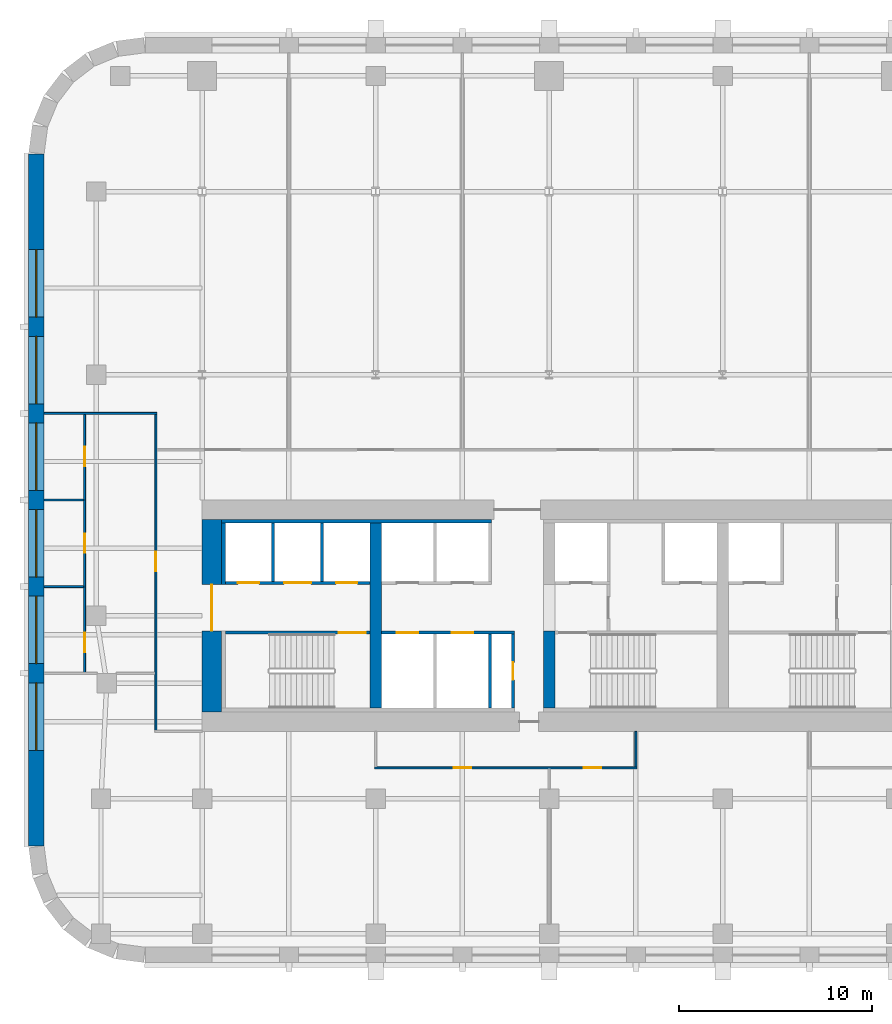
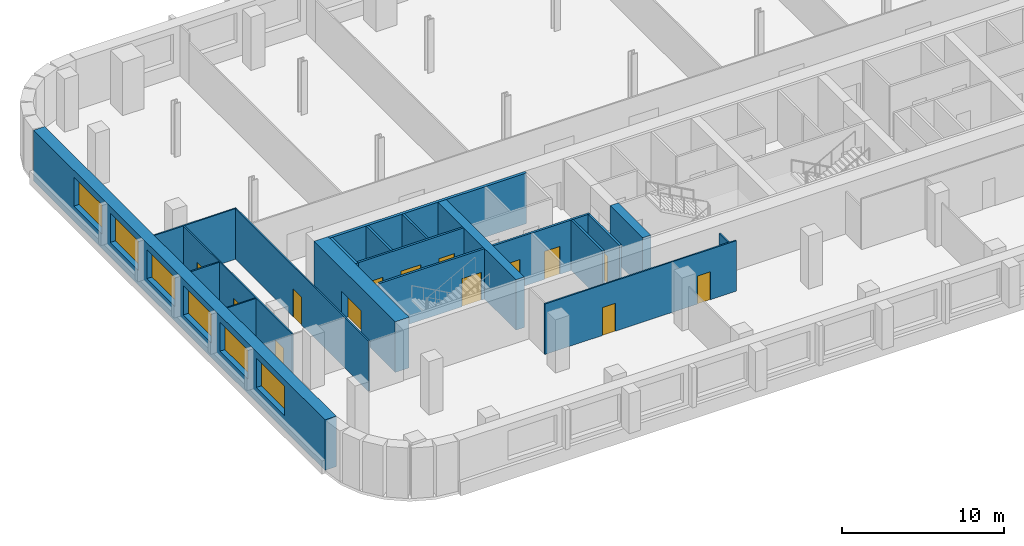
# One storey, part 3 of 9: 20 walls, 14 doors, 6 windows, 20 openings.
"""IFC4 building model written with IfcOpenShell, lengths in metres."""

from ifc_helpers import new_model, si_unit, direction, frame, frame_2d, origin, place, context, subcontext, project, spatial, rectangle, extrude, material, layer, layer_set, type_object, element, fill, save


model = new_model("IFC4")

# Units and contexts
model_context = context("Model", 3, precision=1e-05, world=origin(), true_north=direction((0.0, 1.0)))
body_context = subcontext(model_context, "Body", "Model", "MODEL_VIEW")
ifc_project = project(units=[si_unit("LENGTHUNIT", "METRE"), si_unit("AREAUNIT", "SQUARE_METRE"), si_unit("VOLUMEUNIT", "CUBIC_METRE"), si_unit("PLANEANGLEUNIT", "RADIAN"), si_unit("MASSUNIT", "GRAM", prefix="KILO")], contexts=[model_context])

# Site, building, storey
site_placement = place(None, origin())
site = spatial("IfcSite", under=ifc_project, at=site_placement, CompositionType="ELEMENT")
building_placement = place(site_placement, origin())
building = spatial("IfcBuilding", under=site, at=building_placement, Name="Zellij Exchange Tower", CompositionType="ELEMENT")
storey_placement = place(building_placement, frame((0.0, 0.0, 136.5)))
storey = spatial("IfcBuildingStorey", under=building, at=storey_placement, Name="L30", CompositionType="ELEMENT", Elevation=136.5)

# Walls
ifc_material_1 = material(Name="Concrete C70/85", Category="concrete")
ifc_layer_1 = layer(ifc_material_1, 0.60009765625)
ifc_layer_set_1 = layer_set([ifc_layer_1], Name="Concrete C70/85")
wall_type_1 = type_object("IfcWallType", Name="CORE-CW 600 C70/85", PredefinedType="SHEAR", material=ifc_layer_set_1)
wall_1_placement = place(storey_placement, frame((-18.0, -12.800048828125, 0.0), z_axis=(0.0, 0.0, 1.0), x_axis=(0.0, 1.0, 0.0)))
element("IfcWall", 1, at=wall_1_placement, inside=storey, type_object=wall_type_1, Name="Core cross wall x -18 L30", PredefinedType="SHEAR", context=body_context, shape_type="SweptSolid", body=[
    extrude(rectangle(XDim=9.60009765625, YDim=0.60009765625, at=frame_2d((4.800048828125, 0.0))), origin(), (0.0, 0.0, 1.0), 3.800048828125),
])
wall_2_placement = place(storey_placement, frame((-9.0, -12.800048828125, 0.0), z_axis=(0.0, 0.0, 1.0), x_axis=(0.0, 1.0, 0.0)))
element("IfcWall", 2, at=wall_2_placement, inside=storey, type_object=wall_type_1, Name="Core cross wall pier x -9 a L30", PredefinedType="SHEAR", context=body_context, shape_type="SweptSolid", body=[
    extrude(rectangle(XDim=4.0, YDim=0.60009765625, at=frame_2d((2.0, 0.0))), origin(), (0.0, 0.0, 1.0), 3.800048828125),
])
ifc_material_2 = material(Name="Concrete C30/37", Category="concrete")
ifc_layer_2 = layer(ifc_material_2, 0.199951171875)
ifc_layer_set_2 = layer_set([ifc_layer_2], Name="Concrete C30/37")
wall_type_2 = type_object("IfcWallType", Name="CORE-LW 200 C30/37", PredefinedType="SHEAR", material=ifc_layer_set_2)
wall_3_placement = place(storey_placement, frame((-26.0, -3.10009765625, 0.0), z_axis=(0.0, 0.0, 1.0), x_axis=(1.0, 0.0, 0.0)))
element("IfcWall", 3, at=wall_3_placement, inside=storey, type_object=wall_type_2, Name="Core wall lining front.0 L30", PredefinedType="SHEAR", context=body_context, shape_type="SweptSolid", body=[
    extrude(rectangle(XDim=14.0, YDim=0.199951171875, at=frame_2d((7.0, 0.0))), origin(), (0.0, 0.0, 1.0), 3.800048828125),
])
wall_4_placement = place(storey_placement, frame((-25.89990234375, -6.375, 0.0), z_axis=(0.0, 0.0, 1.0), x_axis=(0.0, 1.0, 0.0)))
element("IfcWall", 4, at=wall_4_placement, inside=storey, type_object=wall_type_2, Name="Core wall lining end w.1 L30", PredefinedType="SHEAR", context=body_context, shape_type="SweptSolid", body=[
    extrude(rectangle(XDim=3.175048828125, YDim=0.199951171875, at=frame_2d((1.58740234375, 0.0))), origin(), (0.0, 0.0, 1.0), 3.800048828125),
])

# Wall, opening, door
ifc_material_3 = material(Name="Gypsum board partition")
ifc_layer_3 = layer(ifc_material_3, 0.14990234375)
ifc_layer_set_3 = layer_set([ifc_layer_3], Name="Gypsum board partition")
wall_type_3 = type_object("IfcWallType", Name="CORE-PW 150 Lift lobby wall", PredefinedType="PARTITIONING", material=ifc_layer_set_3)
wall_5_placement = place(storey_placement, frame((-10.875, -12.800048828125, 0.0), z_axis=(0.0, 0.0, 1.0), x_axis=(0.0, 1.0, 0.0)))
wall_5 = element("IfcWall", 5, at=wall_5_placement, inside=storey, type_object=wall_type_3, Name="Lift lobby wall L30", PredefinedType="PARTITIONING", context=body_context, shape_type="SweptSolid", body=[
    extrude(rectangle(XDim=3.85009765625, YDim=0.14990234375, at=frame_2d((1.925048828125, 0.0))), origin(), (0.0, 0.0, 1.0), 3.800048828125),
])
opening_1_placement = place(wall_5_placement, frame((1.47509765625, 0.0, 0.0)))
opening_1 = element("IfcOpeningElement", 6, at=opening_1_placement, cuts=wall_5, Name="Opening CA-16.10", PredefinedType="OPENING", context=body_context, shape_type="SweptSolid", body=[
    extrude(rectangle(XDim=0.89990234375, YDim=2.10009765625, at=frame_2d((0.449951171875, 1.050048828125))), frame((0.0, 0.0869140625, 0.0), z_axis=(0.0, -1.0, 0.0), x_axis=(1.0, 0.0, 0.0)), (0.0, 0.0, 1.0), 0.173828125),
])
ifc_material_4 = material(Name="Hollow metal fire door")
door_type_1 = type_object("IfcDoorType", Name="CORE-D RD Riser door 900x2100 1.5 HR", OperationType="NOTDEFINED", PredefinedType="DOOR", material=ifc_material_4)
door_1_placement = place(opening_1_placement, origin())
door_1 = element("IfcDoor", 7, at=door_1_placement, inside=storey, type_object=door_type_1, Name="Riser door CA-16.10", OperationType="SINGLE_SWING_RIGHT", OverallHeight=2.10009765625, OverallWidth=0.89990234375, PredefinedType="DOOR", context=body_context, shape_type="SweptSolid", body=[
    extrude(rectangle(XDim=0.89990234375, YDim=2.10009765625, at=frame_2d((0.449951171875, 1.050048828125))), frame((0.0, 0.02490234375, 0.0), z_axis=(0.0, -1.0, 0.0), x_axis=(1.0, 0.0, 0.0)), (0.0, 0.0, 1.0), 0.050048828125),
])
fill(opening_1, door_1)

# Walls
ifc_material_5 = material(Name="Gypsum shaft wall system")
ifc_layer_4 = layer(ifc_material_5, 0.14990234375)
ifc_layer_set_4 = layer_set([ifc_layer_4], Name="Gypsum shaft wall system")
wall_type_4 = type_object("IfcWallType", Name="CORE-PW 150 Lift shaft wall", PredefinedType="PARTITIONING", material=ifc_layer_set_4)
for number, where, z_axis, x_axis, name in (
    (8, (-20.77490234375, -6.22509765625, 0.0), (0.0, 0.0, 1.0), (0.0, 1.0, 0.0), "Lift shaft wall L30"),
    (9, (-23.324951171875, -6.22509765625, 0.0), (0.0, 0.0, 1.0), (0.0, 1.0, 0.0), "Lift shaft wall L30"),
):
    element("IfcWall", number, at=place(storey_placement, frame(where, z_axis=z_axis, x_axis=x_axis)), inside=storey, type_object=wall_type_4, Name=name, PredefinedType="PARTITIONING", context=body_context, shape_type="SweptSolid", body=[
        extrude(rectangle(XDim=3.025146484375, YDim=0.14990234375, at=frame_2d((1.5126953125, 0.0))), origin(), (0.0, 0.0, 1.0), 3.800048828125),
    ])
wall_6_placement = place(storey_placement, frame((-12.074951171875, -12.800048828125, 0.0), z_axis=(0.0, 0.0, 1.0), x_axis=(0.0, 1.0, 0.0)))
element("IfcWall", 10, at=wall_6_placement, inside=storey, type_object=wall_type_4, Name="Lift shaft wall L30", PredefinedType="PARTITIONING", context=body_context, shape_type="SweptSolid", body=[
    extrude(rectangle(XDim=3.85009765625, YDim=0.14990234375, at=frame_2d((1.925048828125, 0.0))), origin(), (0.0, 0.0, 1.0), 3.800048828125),
])

# Wall, openings, doors
wall_7_placement = place(storey_placement, frame((-25.800048828125, -6.300048828125, 0.0), z_axis=(0.0, 0.0, 1.0), x_axis=(1.0, 0.0, 0.0)))
wall_7 = element("IfcWall", 11, at=wall_7_placement, inside=storey, type_object=wall_type_4, Name="Lift shaft wall L30", PredefinedType="PARTITIONING", context=body_context, shape_type="SweptSolid", body=[
    extrude(rectangle(XDim=7.5, YDim=0.14990234375, at=frame_2d((3.75, 0.0))), origin(), (0.0, 0.0, 1.0), 3.800048828125),
])
opening_2_placement = place(wall_7_placement, frame((0.64990234375, 0.0, 0.0)))
opening_2 = element("IfcOpeningElement", 12, at=opening_2_placement, cuts=wall_7, Name="Opening CA-16.02", PredefinedType="OPENING", context=body_context, shape_type="SweptSolid", body=[
    extrude(rectangle(XDim=1.10009765625, YDim=2.10009765625, at=frame_2d((0.550048828125, 1.050048828125))), frame((0.0, 0.0869140625, 0.0), z_axis=(0.0, -1.0, 0.0), x_axis=(1.0, 0.0, 0.0)), (0.0, 0.0, 1.0), 0.173828125),
])
opening_3_placement = place(wall_7_placement, frame((3.050048828125, 0.0, 0.0)))
opening_3 = element("IfcOpeningElement", 13, at=opening_3_placement, cuts=wall_7, Name="Opening CA-16.03", PredefinedType="OPENING", context=body_context, shape_type="SweptSolid", body=[
    extrude(rectangle(XDim=1.39990234375, YDim=2.10009765625, at=frame_2d((0.699951171875, 1.050048828125))), frame((0.0, 0.0869140625, 0.0), z_axis=(0.0, -1.0, 0.0), x_axis=(1.0, 0.0, 0.0)), (0.0, 0.0, 1.0), 0.173828125),
])
opening_4_placement = place(wall_7_placement, frame((5.75, 0.0, 0.0)))
opening_4 = element("IfcOpeningElement", 14, at=opening_4_placement, cuts=wall_7, Name="Opening CA-16.04", PredefinedType="OPENING", context=body_context, shape_type="SweptSolid", body=[
    extrude(rectangle(XDim=1.10009765625, YDim=2.10009765625, at=frame_2d((0.550048828125, 1.050048828125))), frame((0.0, 0.0869140625, 0.0), z_axis=(0.0, -1.0, 0.0), x_axis=(1.0, 0.0, 0.0)), (0.0, 0.0, 1.0), 0.173828125),
])
door_type_2 = type_object("IfcDoorType", Name="CORE-D LD Lift landing door 1100x2100 1.5 HR", OperationType="NOTDEFINED", PredefinedType="DOOR", material=ifc_material_4)
door_2_placement = place(opening_2_placement, origin())
door_2 = element("IfcDoor", 15, at=door_2_placement, inside=storey, type_object=door_type_2, Name="Lift landing door CA-16.02", OperationType="SLIDING_TO_RIGHT", OverallHeight=2.10009765625, OverallWidth=1.10009765625, PredefinedType="DOOR", context=body_context, shape_type="SweptSolid", body=[
    extrude(rectangle(XDim=1.10009765625, YDim=2.10009765625, at=frame_2d((0.550048828125, 1.050048828125))), frame((0.0, 0.02490234375, 0.0), z_axis=(0.0, -1.0, 0.0), x_axis=(1.0, 0.0, 0.0)), (0.0, 0.0, 1.0), 0.050048828125),
])
fill(opening_2, door_2)
door_3_placement = place(opening_4_placement, origin())
door_3 = element("IfcDoor", 16, at=door_3_placement, inside=storey, type_object=door_type_2, Name="Lift landing door CA-16.04", OperationType="SLIDING_TO_RIGHT", OverallHeight=2.10009765625, OverallWidth=1.10009765625, PredefinedType="DOOR", context=body_context, shape_type="SweptSolid", body=[
    extrude(rectangle(XDim=1.10009765625, YDim=2.10009765625, at=frame_2d((0.550048828125, 1.050048828125))), frame((0.0, 0.02490234375, 0.0), z_axis=(0.0, -1.0, 0.0), x_axis=(1.0, 0.0, 0.0)), (0.0, 0.0, 1.0), 0.050048828125),
])
fill(opening_4, door_3)
door_type_3 = type_object("IfcDoorType", Name="CORE-D LD2 Service lift landing door 1400x2100 1.5 HR", OperationType="NOTDEFINED", PredefinedType="DOOR", material=ifc_material_4)
door_4_placement = place(opening_3_placement, origin())
door_4 = element("IfcDoor", 17, at=door_4_placement, inside=storey, type_object=door_type_3, Name="Service lift landing door CA-16.03", OperationType="SLIDING_TO_LEFT", OverallHeight=2.10009765625, OverallWidth=1.39990234375, PredefinedType="DOOR", context=body_context, shape_type="SweptSolid", body=[
    extrude(rectangle(XDim=1.39990234375, YDim=2.10009765625, at=frame_2d((0.699951171875, 1.050048828125))), frame((0.0, 0.02490234375, 0.0), z_axis=(0.0, -1.0, 0.0), x_axis=(1.0, 0.0, 0.0)), (0.0, 0.0, 1.0), 0.050048828125),
])
fill(opening_3, door_4)

wall_8_placement = place(storey_placement, frame((-17.699951171875, -8.875, 0.0), z_axis=(0.0, 0.0, 1.0), x_axis=(1.0, 0.0, 0.0)))
wall_8 = element("IfcWall", 18, at=wall_8_placement, inside=storey, type_object=wall_type_4, Name="Lift shaft wall L30", PredefinedType="PARTITIONING", context=body_context, shape_type="SweptSolid", body=[
    extrude(rectangle(XDim=6.89990234375, YDim=0.14990234375, at=frame_2d((3.449951171875, 0.0))), origin(), (0.0, 0.0, 1.0), 3.800048828125),
])
opening_5_placement = place(wall_8_placement, frame((0.800048828125, 0.0, 0.0)))
opening_5 = element("IfcOpeningElement", 19, at=opening_5_placement, cuts=wall_8, Name="Opening CA-16.06", PredefinedType="OPENING", context=body_context, shape_type="SweptSolid", body=[
    extrude(rectangle(XDim=1.10009765625, YDim=2.10009765625, at=frame_2d((0.550048828125, 1.050048828125))), frame((0.0, 0.0869140625, 0.0), z_axis=(0.0, -1.0, 0.0), x_axis=(1.0, 0.0, 0.0)), (0.0, 0.0, 1.0), 0.173828125),
])
opening_6_placement = place(wall_8_placement, frame((3.64990234375, 0.0, 0.0)))
opening_6 = element("IfcOpeningElement", 20, at=opening_6_placement, cuts=wall_8, Name="Opening CA-16.08", PredefinedType="OPENING", context=body_context, shape_type="SweptSolid", body=[
    extrude(rectangle(XDim=1.10009765625, YDim=2.10009765625, at=frame_2d((0.550048828125, 1.050048828125))), frame((0.0, 0.0869140625, 0.0), z_axis=(0.0, -1.0, 0.0), x_axis=(1.0, 0.0, 0.0)), (0.0, 0.0, 1.0), 0.173828125),
])
door_5_placement = place(opening_5_placement, origin())
door_5 = element("IfcDoor", 21, at=door_5_placement, inside=storey, type_object=door_type_2, Name="Lift landing door CA-16.06", OperationType="SLIDING_TO_RIGHT", OverallHeight=2.10009765625, OverallWidth=1.10009765625, PredefinedType="DOOR", context=body_context, shape_type="SweptSolid", body=[
    extrude(rectangle(XDim=1.10009765625, YDim=2.10009765625, at=frame_2d((0.550048828125, 1.050048828125))), frame((0.0, 0.02490234375, 0.0), z_axis=(0.0, -1.0, 0.0), x_axis=(1.0, 0.0, 0.0)), (0.0, 0.0, 1.0), 0.050048828125),
])
fill(opening_5, door_5)
door_6_placement = place(opening_6_placement, origin())
door_6 = element("IfcDoor", 22, at=door_6_placement, inside=storey, type_object=door_type_2, Name="Lift landing door CA-16.08", OperationType="SLIDING_TO_RIGHT", OverallHeight=2.10009765625, OverallWidth=1.10009765625, PredefinedType="DOOR", context=body_context, shape_type="SweptSolid", body=[
    extrude(rectangle(XDim=1.10009765625, YDim=2.10009765625, at=frame_2d((0.550048828125, 1.050048828125))), frame((0.0, 0.02490234375, 0.0), z_axis=(0.0, -1.0, 0.0), x_axis=(1.0, 0.0, 0.0)), (0.0, 0.0, 1.0), 0.050048828125),
])
fill(opening_6, door_6)

# Wall, opening, door
ifc_layer_5 = layer(ifc_material_1, 1.0)
ifc_layer_set_5 = layer_set([ifc_layer_5], Name="Concrete C70/85")
wall_type_5 = type_object("IfcWallType", Name="CORE-SW 1000 C70/85", PredefinedType="SHEAR", material=ifc_layer_set_5)
wall_9_placement = place(storey_placement, frame((-26.5, -13.0, 0.0), z_axis=(0.0, 0.0, 1.0), x_axis=(0.0, 1.0, 0.0)))
wall_9 = element("IfcWall", 23, at=wall_9_placement, inside=storey, type_object=wall_type_5, Name="Core shear wall end w L30", PredefinedType="SHEAR", context=body_context, shape_type="SweptSolid", body=[
    extrude(rectangle(XDim=10.0, YDim=1.0, at=frame_2d((5.0, 0.0))), origin(), (0.0, 0.0, 1.0), 3.800048828125),
])
opening_7_placement = place(wall_9_placement, frame((4.2119140625, 0.0, 0.0)))
opening_7 = element("IfcOpeningElement", 24, at=opening_7_placement, cuts=wall_9, Name="Opening CA-16.01", PredefinedType="OPENING", context=body_context, shape_type="SweptSolid", body=[
    extrude(rectangle(XDim=2.39990234375, YDim=2.10009765625, at=frame_2d((1.199951171875, 1.050048828125))), frame((0.0, 0.511962890625, 0.0), z_axis=(0.0, -1.0, 0.0), x_axis=(1.0, 0.0, 0.0)), (0.0, 0.0, 1.0), 1.02392578125),
])
door_type_4 = type_object("IfcDoorType", Name="CORE-D CE Core entrance door 2400x2100 20 MIN", OperationType="NOTDEFINED", PredefinedType="DOOR", material=ifc_material_4)
door_7_placement = place(opening_7_placement, origin())
door_7 = element("IfcDoor", 25, at=door_7_placement, inside=storey, type_object=door_type_4, Name="Core entrance door CA-16.01", OperationType="DOUBLE_DOOR_SINGLE_SWING", OverallHeight=2.10009765625, OverallWidth=2.39990234375, PredefinedType="DOOR", context=body_context, shape_type="SweptSolid", body=[
    extrude(rectangle(XDim=2.39990234375, YDim=2.10009765625, at=frame_2d((1.199951171875, 1.050048828125))), frame((0.0, 0.02490234375, 0.0), z_axis=(0.0, -1.0, 0.0), x_axis=(1.0, 0.0, 0.0)), (0.0, 0.0, 1.0), 0.050048828125),
])
fill(opening_7, door_7)

ifc_layer_6 = layer(ifc_material_1, 0.14990234375)
ifc_layer_set_6 = layer_set([ifc_layer_6], Name="Concrete C70/85")
wall_type_6 = type_object("IfcWallType", Name="CORE-SWS 150 C70/85", PredefinedType="SHEAR", material=ifc_layer_set_6)
wall_10_placement = place(storey_placement, frame((-25.800048828125, -8.875, 0.0), z_axis=(0.0, 0.0, 1.0), x_axis=(1.0, 0.0, 0.0)))
wall_10 = element("IfcWall", 26, at=wall_10_placement, inside=storey, type_object=wall_type_6, Name="Stair enclosure wall L30", PredefinedType="SHEAR", context=body_context, shape_type="SweptSolid", body=[
    extrude(rectangle(XDim=7.5, YDim=0.14990234375, at=frame_2d((3.75, 0.0))), origin(), (0.0, 0.0, 1.0), 3.800048828125),
])
opening_8_placement = place(wall_10_placement, frame((5.875, 0.0, 0.0)))
opening_8 = element("IfcOpeningElement", 27, at=opening_8_placement, cuts=wall_10, Name="Opening CA-16.05", PredefinedType="OPENING", context=body_context, shape_type="SweptSolid", body=[
    extrude(rectangle(XDim=1.39990234375, YDim=2.10009765625, at=frame_2d((0.699951171875, 1.050048828125))), frame((0.0, 0.0869140625, 0.0), z_axis=(0.0, -1.0, 0.0), x_axis=(1.0, 0.0, 0.0)), (0.0, 0.0, 1.0), 0.173828125),
])
door_type_5 = type_object("IfcDoorType", Name="CORE-D SD Stair door 1400x2100 1.5 HR", OperationType="NOTDEFINED", PredefinedType="DOOR", material=ifc_material_4)
door_8_placement = place(opening_8_placement, origin())
door_8 = element("IfcDoor", 28, at=door_8_placement, inside=storey, type_object=door_type_5, Name="Stair door CA-16.05", OperationType="DOUBLE_DOOR_SINGLE_SWING", OverallHeight=2.10009765625, OverallWidth=1.39990234375, PredefinedType="DOOR", context=body_context, shape_type="SweptSolid", body=[
    extrude(rectangle(XDim=1.39990234375, YDim=2.10009765625, at=frame_2d((0.699951171875, 1.050048828125))), frame((0.0, 0.02490234375, 0.0), z_axis=(0.0, -1.0, 0.0), x_axis=(1.0, 0.0, 0.0)), (0.0, 0.0, 1.0), 0.050048828125),
])
fill(opening_8, door_8)

# Wall, openings, windows
ifc_material_6 = material(Name="Precast concrete C40/50", Category="concrete")
ifc_layer_7 = layer(ifc_material_6, 0.800048828125)
ifc_layer_set_7 = layer_set([ifc_layer_7], Name="Precast concrete C40/50")
wall_type_7 = type_object("IfcWallType", Name="ENV-EW1 Precast stone-piered wall 800", PredefinedType="SOLIDWALL", material=ifc_layer_set_7)
wall_11_placement = place(storey_placement, frame((-35.60009765625, 15.947509765625, 0.0), z_axis=(0.0, 0.0, 1.0), x_axis=(0.0, -1.0, 0.0)))
wall_11 = element("IfcWall", 29, at=wall_11_placement, inside=storey, type_object=wall_type_7, Name="fac.L30.26", PredefinedType="SOLIDWALL", context=body_context, shape_type="SweptSolid", body=[
    extrude(rectangle(XDim=35.89501953125, YDim=0.800048828125, at=frame_2d((17.947509765625, 0.0))), origin(), (0.0, 0.0, 1.0), 3.800048828125),
])
opening_9_placement = place(wall_11_placement, frame((4.9638671875, 0.0, 1.10009765625)))
opening_9 = element("IfcOpeningElement", 30, at=opening_9_placement, cuts=wall_11, Name="Opening FZ2.31", PredefinedType="OPENING", context=body_context, shape_type="SweptSolid", body=[
    extrude(rectangle(XDim=3.5, YDim=2.199951171875, at=frame_2d((1.75, 1.10009765625))), frame((0.0, 0.412109375, 0.0), z_axis=(0.0, -1.0, 0.0), x_axis=(1.0, 0.0, 0.0)), (0.0, 0.0, 1.0), 0.823974609375),
])
opening_10_placement = place(wall_11_placement, frame((9.45751953125, 0.0, 1.10009765625)))
opening_10 = element("IfcOpeningElement", 31, at=opening_10_placement, cuts=wall_11, Name="Opening FZ2.32", PredefinedType="OPENING", context=body_context, shape_type="SweptSolid", body=[
    extrude(rectangle(XDim=3.5, YDim=2.199951171875, at=frame_2d((1.75, 1.10009765625))), frame((0.0, 0.412109375, 0.0), z_axis=(0.0, -1.0, 0.0), x_axis=(1.0, 0.0, 0.0)), (0.0, 0.0, 1.0), 0.823974609375),
])
opening_11_placement = place(wall_11_placement, frame((13.950927734375, 0.0, 1.10009765625)))
opening_11 = element("IfcOpeningElement", 32, at=opening_11_placement, cuts=wall_11, Name="Opening FZ2.33", PredefinedType="OPENING", context=body_context, shape_type="SweptSolid", body=[
    extrude(rectangle(XDim=3.5, YDim=2.199951171875, at=frame_2d((1.75, 1.10009765625))), frame((0.0, 0.412109375, 0.0), z_axis=(0.0, -1.0, 0.0), x_axis=(1.0, 0.0, 0.0)), (0.0, 0.0, 1.0), 0.823974609375),
])
opening_12_placement = place(wall_11_placement, frame((18.4443359375, 0.0, 1.10009765625)))
opening_12 = element("IfcOpeningElement", 33, at=opening_12_placement, cuts=wall_11, Name="Opening FZ2.34", PredefinedType="OPENING", context=body_context, shape_type="SweptSolid", body=[
    extrude(rectangle(XDim=3.5, YDim=2.199951171875, at=frame_2d((1.75, 1.10009765625))), frame((0.0, 0.412109375, 0.0), z_axis=(0.0, -1.0, 0.0), x_axis=(1.0, 0.0, 0.0)), (0.0, 0.0, 1.0), 0.823974609375),
])
opening_13_placement = place(wall_11_placement, frame((22.937744140625, 0.0, 1.10009765625)))
opening_13 = element("IfcOpeningElement", 34, at=opening_13_placement, cuts=wall_11, Name="Opening FZ2.35", PredefinedType="OPENING", context=body_context, shape_type="SweptSolid", body=[
    extrude(rectangle(XDim=3.5, YDim=2.199951171875, at=frame_2d((1.75, 1.10009765625))), frame((0.0, 0.412109375, 0.0), z_axis=(0.0, -1.0, 0.0), x_axis=(1.0, 0.0, 0.0)), (0.0, 0.0, 1.0), 0.823974609375),
])
opening_14_placement = place(wall_11_placement, frame((27.43115234375, 0.0, 1.10009765625)))
opening_14 = element("IfcOpeningElement", 35, at=opening_14_placement, cuts=wall_11, Name="Opening FZ2.36", PredefinedType="OPENING", context=body_context, shape_type="SweptSolid", body=[
    extrude(rectangle(XDim=3.5, YDim=2.199951171875, at=frame_2d((1.75, 1.10009765625))), frame((0.0, 0.412109375, 0.0), z_axis=(0.0, -1.0, 0.0), x_axis=(1.0, 0.0, 0.0)), (0.0, 0.0, 1.0), 0.823974609375),
])
ifc_material_7 = material(Name="Aluminium frame with insulating glass", Category="aluminium")
window_type = type_object("IfcWindowType", Name="ENV-W7 Window 3500x2200", PartitioningType="SINGLE_PANEL", PredefinedType="WINDOW", material=ifc_material_7)
window_1_placement = place(opening_9_placement, origin())
window_1 = element("IfcWindow", 36, at=window_1_placement, inside=storey, type_object=window_type, Name="Window FZ2.31", OverallHeight=2.199951171875, OverallWidth=3.5, PartitioningType="SINGLE_PANEL", PredefinedType="WINDOW", context=body_context, shape_type="SweptSolid", body=[
    extrude(rectangle(XDim=3.5, YDim=2.199951171875, at=frame_2d((1.75, 1.10009765625))), frame((0.0, 0.030029296875, 0.0), z_axis=(0.0, -1.0, 0.0), x_axis=(1.0, 0.0, 0.0)), (0.0, 0.0, 1.0), 0.06005859375),
])
fill(opening_9, window_1)
window_2_placement = place(opening_10_placement, origin())
window_2 = element("IfcWindow", 37, at=window_2_placement, inside=storey, type_object=window_type, Name="Window FZ2.32", OverallHeight=2.199951171875, OverallWidth=3.5, PartitioningType="SINGLE_PANEL", PredefinedType="WINDOW", context=body_context, shape_type="SweptSolid", body=[
    extrude(rectangle(XDim=3.5, YDim=2.199951171875, at=frame_2d((1.75, 1.10009765625))), frame((0.0, 0.030029296875, 0.0), z_axis=(0.0, -1.0, 0.0), x_axis=(1.0, 0.0, 0.0)), (0.0, 0.0, 1.0), 0.06005859375),
])
fill(opening_10, window_2)
window_3_placement = place(opening_11_placement, origin())
window_3 = element("IfcWindow", 38, at=window_3_placement, inside=storey, type_object=window_type, Name="Window FZ2.33", OverallHeight=2.199951171875, OverallWidth=3.5, PartitioningType="SINGLE_PANEL", PredefinedType="WINDOW", context=body_context, shape_type="SweptSolid", body=[
    extrude(rectangle(XDim=3.5, YDim=2.199951171875, at=frame_2d((1.75, 1.10009765625))), frame((0.0, 0.030029296875, 0.0), z_axis=(0.0, -1.0, 0.0), x_axis=(1.0, 0.0, 0.0)), (0.0, 0.0, 1.0), 0.06005859375),
])
fill(opening_11, window_3)
window_4_placement = place(opening_12_placement, origin())
window_4 = element("IfcWindow", 39, at=window_4_placement, inside=storey, type_object=window_type, Name="Window FZ2.34", OverallHeight=2.199951171875, OverallWidth=3.5, PartitioningType="SINGLE_PANEL", PredefinedType="WINDOW", context=body_context, shape_type="SweptSolid", body=[
    extrude(rectangle(XDim=3.5, YDim=2.199951171875, at=frame_2d((1.75, 1.10009765625))), frame((0.0, 0.030029296875, 0.0), z_axis=(0.0, -1.0, 0.0), x_axis=(1.0, 0.0, 0.0)), (0.0, 0.0, 1.0), 0.06005859375),
])
fill(opening_12, window_4)
window_5_placement = place(opening_13_placement, origin())
window_5 = element("IfcWindow", 40, at=window_5_placement, inside=storey, type_object=window_type, Name="Window FZ2.35", OverallHeight=2.199951171875, OverallWidth=3.5, PartitioningType="SINGLE_PANEL", PredefinedType="WINDOW", context=body_context, shape_type="SweptSolid", body=[
    extrude(rectangle(XDim=3.5, YDim=2.199951171875, at=frame_2d((1.75, 1.10009765625))), frame((0.0, 0.030029296875, 0.0), z_axis=(0.0, -1.0, 0.0), x_axis=(1.0, 0.0, 0.0)), (0.0, 0.0, 1.0), 0.06005859375),
])
fill(opening_13, window_5)
window_6_placement = place(opening_14_placement, origin())
window_6 = element("IfcWindow", 41, at=window_6_placement, inside=storey, type_object=window_type, Name="Window FZ2.36", OverallHeight=2.199951171875, OverallWidth=3.5, PartitioningType="SINGLE_PANEL", PredefinedType="WINDOW", context=body_context, shape_type="SweptSolid", body=[
    extrude(rectangle(XDim=3.5, YDim=2.199951171875, at=frame_2d((1.75, 1.10009765625))), frame((0.0, 0.030029296875, 0.0), z_axis=(0.0, -1.0, 0.0), x_axis=(1.0, 0.0, 0.0)), (0.0, 0.0, 1.0), 0.06005859375),
])
fill(opening_14, window_6)

# Wall, openings, doors
ifc_material_8 = material(Name="Gypsum board partition on steel studs", Category="steel")
ifc_layer_8 = layer(ifc_material_8, 0.10009765625)
ifc_layer_set_8 = layer_set([ifc_layer_8], Name="Gypsum board partition on steel studs")
wall_type_8 = type_object("IfcWallType", Name="FIT-PARTITION-100", PredefinedType="PARTITIONING", material=ifc_layer_set_8)
wall_12_placement = place(storey_placement, frame((-18.050048828125, -15.89990234375, 0.0), z_axis=(0.0, 0.0, 1.0), x_axis=(1.0, 0.0, 0.0)))
wall_12 = element("IfcWall", 42, at=wall_12_placement, inside=storey, type_object=wall_type_8, Name="FIT-PARTITION-100 005", PredefinedType="PARTITIONING", context=body_context, shape_type="SweptSolid", body=[
    extrude(rectangle(XDim=13.60009765625, YDim=0.10009765625, at=frame_2d((6.800048828125, 0.0))), origin(), (0.0, 0.0, 1.0), 3.800048828125),
])
opening_15_placement = place(wall_12_placement, frame((4.10009765625, 0.0, 0.0)))
opening_15 = element("IfcOpeningElement", 43, at=opening_15_placement, cuts=wall_12, Name="Opening TG.01", PredefinedType="OPENING", context=body_context, shape_type="SweptSolid", body=[
    extrude(rectangle(XDim=0.89990234375, YDim=2.10009765625, at=frame_2d((0.449951171875, 1.050048828125))), frame((0.0, 0.06201171875, 0.0), z_axis=(0.0, -1.0, 0.0), x_axis=(1.0, 0.0, 0.0)), (0.0, 0.0, 1.0), 0.1240234375),
])
opening_16_placement = place(wall_12_placement, frame((10.85009765625, 0.0, 0.0)))
opening_16 = element("IfcOpeningElement", 44, at=opening_16_placement, cuts=wall_12, Name="Opening TG.02", PredefinedType="OPENING", context=body_context, shape_type="SweptSolid", body=[
    extrude(rectangle(XDim=0.89990234375, YDim=2.10009765625, at=frame_2d((0.449951171875, 1.050048828125))), frame((0.0, 0.06201171875, 0.0), z_axis=(0.0, -1.0, 0.0), x_axis=(1.0, 0.0, 0.0)), (0.0, 0.0, 1.0), 0.1240234375),
])
ifc_material_9 = material(Name="Timber door set", Category="wood")
door_type_6 = type_object("IfcDoorType", Name="FIT-D1-ROOM-900X2100", OperationType="SINGLE_SWING_LEFT", PredefinedType="DOOR", material=ifc_material_9)
door_9_placement = place(opening_15_placement, origin())
door_9 = element("IfcDoor", 45, at=door_9_placement, inside=storey, type_object=door_type_6, Name="Door TG.01", OperationType="SINGLE_SWING_LEFT", OverallHeight=2.10009765625, OverallWidth=0.89990234375, PredefinedType="DOOR", context=body_context, shape_type="SweptSolid", body=[
    extrude(rectangle(XDim=0.89990234375, YDim=2.10009765625, at=frame_2d((0.449951171875, 1.050048828125))), frame((0.0, 0.02490234375, 0.0), z_axis=(0.0, -1.0, 0.0), x_axis=(1.0, 0.0, 0.0)), (0.0, 0.0, 1.0), 0.050048828125),
])
fill(opening_15, door_9)
door_10_placement = place(opening_16_placement, origin())
door_10 = element("IfcDoor", 46, at=door_10_placement, inside=storey, type_object=door_type_6, Name="Door TG.02", OperationType="SINGLE_SWING_LEFT", OverallHeight=2.10009765625, OverallWidth=0.89990234375, PredefinedType="DOOR", context=body_context, shape_type="SweptSolid", body=[
    extrude(rectangle(XDim=0.89990234375, YDim=2.10009765625, at=frame_2d((0.449951171875, 1.050048828125))), frame((0.0, 0.02490234375, 0.0), z_axis=(0.0, -1.0, 0.0), x_axis=(1.0, 0.0, 0.0)), (0.0, 0.0, 1.0), 0.050048828125),
])
fill(opening_16, door_10)

# Wall
wall_13_placement = place(storey_placement, frame((-4.5, -15.85009765625, 0.0), z_axis=(0.0, 0.0, 1.0), x_axis=(0.0, 1.0, 0.0)))
element("IfcWall", 47, at=wall_13_placement, inside=storey, type_object=wall_type_8, Name="FIT-PARTITION-100 007", PredefinedType="PARTITIONING", context=body_context, shape_type="SweptSolid", body=[
    extrude(rectangle(XDim=1.85009765625, YDim=0.10009765625, at=frame_2d((0.925048828125, 0.0))), origin(), (0.0, 0.0, 1.0), 3.197998046875),
])

# Wall, opening, door
wall_14_placement = place(storey_placement, frame((-29.39990234375, -13.949951171875, 0.0), z_axis=(0.0, 0.0, 1.0), x_axis=(0.0, 1.0, 0.0)))
wall_14 = element("IfcWall", 48, at=wall_14_placement, inside=storey, type_object=wall_type_8, Name="FIT-PARTITION-100 012", PredefinedType="PARTITIONING", context=body_context, shape_type="SweptSolid", body=[
    extrude(rectangle(XDim=16.389892578125, YDim=0.10009765625, at=frame_2d((8.19482421875, 0.0))), origin(), (0.0, 0.0, 1.0), 3.800048828125),
])
opening_17_placement = place(wall_14_placement, frame((8.260009765625, 0.0, 0.0)))
opening_17 = element("IfcOpeningElement", 49, at=opening_17_placement, cuts=wall_14, Name="Opening TG.06", PredefinedType="OPENING", context=body_context, shape_type="SweptSolid", body=[
    extrude(rectangle(XDim=1.0, YDim=2.10009765625, at=frame_2d((0.5, 1.050048828125))), frame((0.0, 0.06201171875, 0.0), z_axis=(0.0, -1.0, 0.0), x_axis=(1.0, 0.0, 0.0)), (0.0, 0.0, 1.0), 0.1240234375),
])
door_type_7 = type_object("IfcDoorType", Name="FIT-D2-WIDE-1000X2100", OperationType="SINGLE_SWING_LEFT", PredefinedType="DOOR", material=ifc_material_9)
door_11_placement = place(opening_17_placement, origin())
door_11 = element("IfcDoor", 50, at=door_11_placement, inside=storey, type_object=door_type_7, Name="Door TG.06", OperationType="SINGLE_SWING_RIGHT", OverallHeight=2.10009765625, OverallWidth=1.0, PredefinedType="DOOR", context=body_context, shape_type="SweptSolid", body=[
    extrude(rectangle(XDim=1.0, YDim=2.10009765625, at=frame_2d((0.5, 1.050048828125))), frame((0.0, 0.02490234375, 0.0), z_axis=(0.0, -1.0, 0.0), x_axis=(1.0, 0.0, 0.0)), (0.0, 0.0, 1.0), 0.050048828125),
])
fill(opening_17, door_11)

# Wall, openings, doors
wall_15_placement = place(storey_placement, frame((-33.10009765625, -10.93994140625, 0.0), z_axis=(0.0, 0.0, 1.0), x_axis=(0.0, 1.0, 0.0)))
wall_15 = element("IfcWall", 51, at=wall_15_placement, inside=storey, type_object=wall_type_8, Name="FIT-PARTITION-100 017", PredefinedType="PARTITIONING", context=body_context, shape_type="SweptSolid", body=[
    extrude(rectangle(XDim=13.3798828125, YDim=0.10009765625, at=frame_2d((6.68994140625, 0.0))), origin(), (0.0, 0.0, 1.0), 3.800048828125),
])
opening_18_placement = place(wall_15_placement, frame((1.050048828125, 0.0, 0.0)))
opening_18 = element("IfcOpeningElement", 52, at=opening_18_placement, cuts=wall_15, Name="Opening TG.04", PredefinedType="OPENING", context=body_context, shape_type="SweptSolid", body=[
    extrude(rectangle(XDim=1.0, YDim=2.10009765625, at=frame_2d((0.5, 1.050048828125))), frame((0.0, 0.06201171875, 0.0), z_axis=(0.0, -1.0, 0.0), x_axis=(1.0, 0.0, 0.0)), (0.0, 0.0, 1.0), 0.1240234375),
])
opening_19_placement = place(wall_15_placement, frame((6.199951171875, 0.0, 0.0)))
opening_19 = element("IfcOpeningElement", 53, at=opening_19_placement, cuts=wall_15, Name="Opening TG.07", PredefinedType="OPENING", context=body_context, shape_type="SweptSolid", body=[
    extrude(rectangle(XDim=1.0, YDim=2.10009765625, at=frame_2d((0.5, 1.050048828125))), frame((0.0, 0.06201171875, 0.0), z_axis=(0.0, -1.0, 0.0), x_axis=(1.0, 0.0, 0.0)), (0.0, 0.0, 1.0), 0.1240234375),
])
opening_20_placement = place(wall_15_placement, frame((10.68994140625, 0.0, 0.0)))
opening_20 = element("IfcOpeningElement", 54, at=opening_20_placement, cuts=wall_15, Name="Opening TG.08", PredefinedType="OPENING", context=body_context, shape_type="SweptSolid", body=[
    extrude(rectangle(XDim=1.0, YDim=2.10009765625, at=frame_2d((0.5, 1.050048828125))), frame((0.0, 0.06201171875, 0.0), z_axis=(0.0, -1.0, 0.0), x_axis=(1.0, 0.0, 0.0)), (0.0, 0.0, 1.0), 0.1240234375),
])
door_12_placement = place(opening_18_placement, origin())
door_12 = element("IfcDoor", 55, at=door_12_placement, inside=storey, type_object=door_type_7, Name="Door TG.04", OperationType="SINGLE_SWING_RIGHT", OverallHeight=2.10009765625, OverallWidth=1.0, PredefinedType="DOOR", context=body_context, shape_type="SweptSolid", body=[
    extrude(rectangle(XDim=1.0, YDim=2.10009765625, at=frame_2d((0.5, 1.050048828125))), frame((0.0, 0.02490234375, 0.0), z_axis=(0.0, -1.0, 0.0), x_axis=(1.0, 0.0, 0.0)), (0.0, 0.0, 1.0), 0.050048828125),
])
fill(opening_18, door_12)
door_13_placement = place(opening_19_placement, origin())
door_13 = element("IfcDoor", 56, at=door_13_placement, inside=storey, type_object=door_type_7, Name="Door TG.07", OperationType="SINGLE_SWING_LEFT", OverallHeight=2.10009765625, OverallWidth=1.0, PredefinedType="DOOR", context=body_context, shape_type="SweptSolid", body=[
    extrude(rectangle(XDim=1.0, YDim=2.10009765625, at=frame_2d((0.5, 1.050048828125))), frame((0.0, 0.02490234375, 0.0), z_axis=(0.0, -1.0, 0.0), x_axis=(1.0, 0.0, 0.0)), (0.0, 0.0, 1.0), 0.050048828125),
])
fill(opening_19, door_13)
door_14_placement = place(opening_20_placement, origin())
door_14 = element("IfcDoor", 57, at=door_14_placement, inside=storey, type_object=door_type_7, Name="Door TG.08", OperationType="SINGLE_SWING_LEFT", OverallHeight=2.10009765625, OverallWidth=1.0, PredefinedType="DOOR", context=body_context, shape_type="SweptSolid", body=[
    extrude(rectangle(XDim=1.0, YDim=2.10009765625, at=frame_2d((0.5, 1.050048828125))), frame((0.0, 0.02490234375, 0.0), z_axis=(0.0, -1.0, 0.0), x_axis=(1.0, 0.0, 0.0)), (0.0, 0.0, 1.0), 0.050048828125),
])
fill(opening_20, door_14)

# Walls
for number, where, z_axis, x_axis, name in (
    (58, (-35.199951171875, -6.489990234375, 0.0), (0.0, 0.0, 1.0), (1.0, 0.0, 0.0), "FIT-PARTITION-100 019"),
    (59, (-35.199951171875, -2.0, 0.0), (0.0, 0.0, 1.0), (1.0, 0.0, 0.0), "FIT-PARTITION-100 022"),
):
    element("IfcWall", number, at=place(storey_placement, frame(where, z_axis=z_axis, x_axis=x_axis)), inside=storey, type_object=wall_type_8, Name=name, PredefinedType="PARTITIONING", context=body_context, shape_type="SweptSolid", body=[
        extrude(rectangle(XDim=2.050048828125, YDim=0.10009765625, at=frame_2d((1.02490234375, 0.0))), origin(), (0.0, 0.0, 1.0), 3.800048828125),
    ])
wall_16_placement = place(storey_placement, frame((-35.199951171875, 2.489990234375, 0.0), z_axis=(0.0, 0.0, 1.0), x_axis=(1.0, 0.0, 0.0)))
element("IfcWall", 60, at=wall_16_placement, inside=storey, type_object=wall_type_8, Name="FIT-PARTITION-100 036", PredefinedType="PARTITIONING", context=body_context, shape_type="SweptSolid", body=[
    extrude(rectangle(XDim=5.849853515625, YDim=0.10009765625, at=frame_2d((2.9248046875, 0.0))), origin(), (0.0, 0.0, 1.0), 3.800048828125),
])

save(model, "model.ifc")
